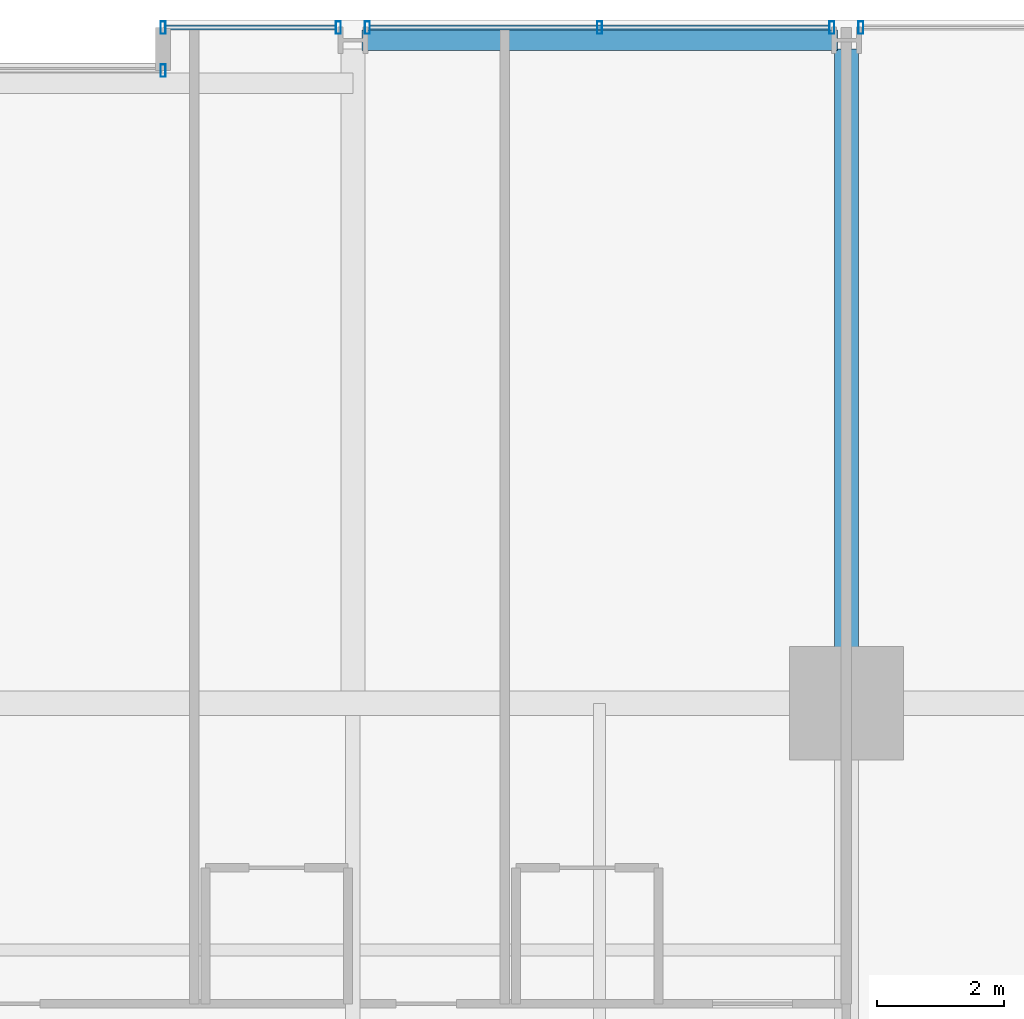
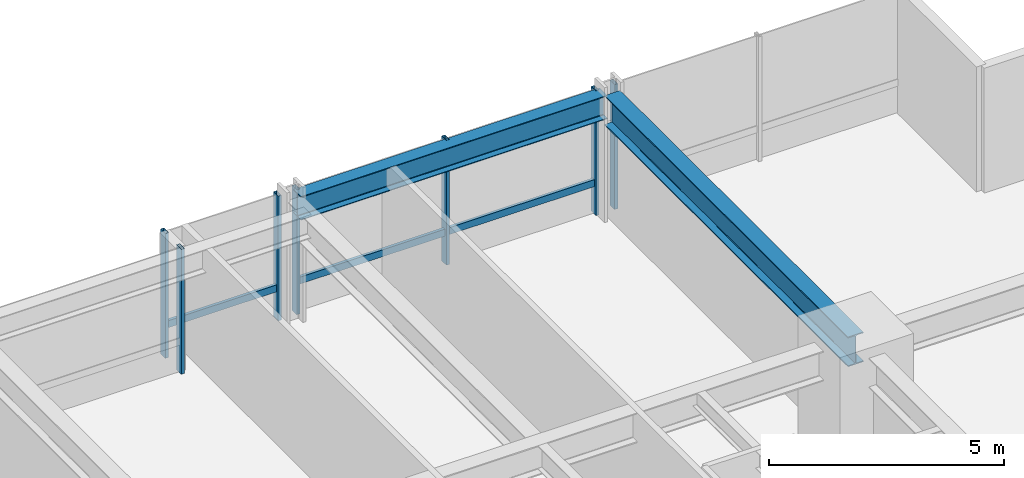
# One storey, part 27 of 38: 9 members, 2 beams, 4 elements without a shape of their own.
"""IFC4 building model written with IfcOpenShell, lengths in metres."""

from ifc_helpers import new_model, si_unit, direction, frame, origin, origin_2d, place, context, subcontext, project, spatial, hollow_rectangle, i_section, extrude, material, layer, layer_set, material_profile, profile_set, type_object, element, aggregate, save


model = new_model("IFC4")

# Units and contexts
model_context = context("Model", 3, precision=1e-05, world=origin(), true_north=direction((0.0, 1.0)))
body_context = subcontext(model_context, "Body", "Model", "MODEL_VIEW")
ifc_project = project(units=[si_unit("LENGTHUNIT", "METRE"), si_unit("AREAUNIT", "SQUARE_METRE"), si_unit("VOLUMEUNIT", "CUBIC_METRE"), si_unit("PLANEANGLEUNIT", "RADIAN"), si_unit("MASSUNIT", "GRAM", prefix="KILO")], contexts=[model_context])

# Site, building, storey
site_placement = place(None, origin())
site = spatial("IfcSite", under=ifc_project, at=site_placement, CompositionType="ELEMENT")
building_placement = place(site_placement, origin())
building = spatial("IfcBuilding", under=site, at=building_placement, Name="Drelvath Grand Hotel", CompositionType="ELEMENT")
storey_placement = place(building_placement, frame((0.0, 0.0, 71.699951171875)))
storey = spatial("IfcBuildingStorey", under=building, at=storey_placement, Name="L17", CompositionType="ELEMENT", Elevation=71.699951171875)

# Curtain wall, member
ifc_material_1 = material(Name="Warm Bronze Anodised Aluminium Frame", Category="aluminium")
ifc_layer = layer(ifc_material_1, 0.199951171875)
ifc_layer_set = layer_set([ifc_layer], Name="Warm Bronze Anodised Aluminium Frame")
curtain_wall_type = type_object("IfcCurtainWallType", Name="Stick Curtain Wall CW-02 Warm Bronze Low-Rise", PredefinedType="NOTDEFINED", material=ifc_layer_set)
curtain_wall_1_placement = place(storey_placement, origin())
curtain_wall_1 = element("IfcCurtainWall", 1, at=curtain_wall_1_placement, inside=storey, type_object=curtain_wall_type, Name="L17 CW-02 Curtain Wall CW02-L17-NE1", PredefinedType="NOTDEFINED")
ifc_material_profile_1 = material_profile(ifc_material_1, hollow_rectangle(XDim=0.074951171875, YDim=0.179931640625, WallThickness=0.0048828125, at=origin_2d()), Name="HSS180X75X5")
ifc_profile_set_1 = profile_set([ifc_material_profile_1], Name="Warm Bronze Anodised Aluminium Frame")
member_type_1 = type_object("IfcMemberType", Name="Curtain Wall Horizontal Transom CW-02 HSS180X75X5", PredefinedType="USERDEFINED", material=ifc_profile_set_1)
member_1_placement = place(storey_placement, frame((5.43994140625, 53.8798828125, 0.81005859375), z_axis=(1.0, 0.0, 0.0), x_axis=(0.0, 1.0, 0.0)))
member_1 = element("IfcMember", 2, at=member_1_placement, type_object=member_type_1, Name="CW02-L17-NE1 Sill Transom", ObjectType="TRANSOM", PredefinedType="USERDEFINED", context=body_context, shape_type="SweptSolid", body=[
    extrude(hollow_rectangle(XDim=0.074951171875, YDim=0.179931640625, WallThickness=0.0048828125, at=origin_2d()), origin(), (0.0, 0.0, 1.0), 2.69091796875),
])

curtain_wall_2_placement = place(storey_placement, origin())
curtain_wall_2 = element("IfcCurtainWall", 3, at=curtain_wall_2_placement, inside=storey, type_object=curtain_wall_type, Name="L17 CW-02 Curtain Wall CW02-L17-NE2", PredefinedType="NOTDEFINED")
member_2_placement = place(storey_placement, frame((8.669189453125, 53.8798828125, 0.81005859375), z_axis=(1.0, 0.0, 0.0), x_axis=(0.0, 1.0, 0.0)))
member_2 = element("IfcMember", 4, at=member_2_placement, type_object=member_type_1, Name="CW02-L17-NE2 Sill Transom", ObjectType="TRANSOM", PredefinedType="USERDEFINED", context=body_context, shape_type="SweptSolid", body=[
    extrude(hollow_rectangle(XDim=0.074951171875, YDim=0.179931640625, WallThickness=0.0048828125, at=origin_2d()), origin(), (0.0, 0.0, 1.0), 7.26171875),
])

curtain_wall_3_placement = place(storey_placement, origin())
curtain_wall_3 = element("IfcCurtainWall", 5, at=curtain_wall_3_placement, inside=storey, type_object=curtain_wall_type, Name="L17 CW-02 Curtain Wall CW02-L17-NM2", PredefinedType="NOTDEFINED")
ifc_material_profile_2 = material_profile(ifc_material_1, hollow_rectangle(XDim=0.080078125, YDim=0.199951171875, WallThickness=0.0048828125, at=origin_2d()), Name="HSS200X80X5")
ifc_profile_set_2 = profile_set([ifc_material_profile_2], Name="Warm Bronze Anodised Aluminium Frame")
member_type_2 = type_object("IfcMemberType", Name="Curtain Wall Vertical Mullion CW-02 HSS200X80X5", PredefinedType="MULLION", material=ifc_profile_set_2)
member_3_placement = place(storey_placement, frame((5.39990234375, 53.199951171875, 0.0), z_axis=(0.0, 0.0, 1.0), x_axis=(1.0, 0.0, 0.0)))
member_3 = element("IfcMember", 6, at=member_3_placement, type_object=member_type_2, Name="CW02-L17-NM2 Mullion 2", PredefinedType="MULLION", context=body_context, shape_type="SweptSolid", body=[
    extrude(hollow_rectangle(XDim=0.080078125, YDim=0.199951171875, WallThickness=0.0048828125, at=origin_2d()), origin(), (0.0, 0.0, 1.0), 3.239990234375),
])
aggregate(curtain_wall_3, [member_3])

# Member
member_4_placement = place(storey_placement, frame((5.39990234375, 53.8798828125, 0.0), z_axis=(0.0, 0.0, 1.0), x_axis=(1.0, 0.0, 0.0)))
member_4 = element("IfcMember", 7, at=member_4_placement, type_object=member_type_2, Name="CW02-L17-NE1 Mullion 1", PredefinedType="MULLION", context=body_context, shape_type="SweptSolid", body=[
    extrude(hollow_rectangle(XDim=0.080078125, YDim=0.199951171875, WallThickness=0.0048828125, at=origin_2d()), origin(), (0.0, 0.0, 1.0), 3.239990234375),
])

member_5_placement = place(storey_placement, frame((8.1708984375, 53.8798828125, 0.0), z_axis=(0.0, 0.0, 1.0), x_axis=(1.0, 0.0, 0.0)))
member_5 = element("IfcMember", 8, at=member_5_placement, type_object=member_type_2, Name="CW02-L17-NE1 Mullion 2", PredefinedType="MULLION", context=body_context, shape_type="SweptSolid", body=[
    extrude(hollow_rectangle(XDim=0.080078125, YDim=0.199951171875, WallThickness=0.0048828125, at=origin_2d()), origin(), (0.0, 0.0, 1.0), 3.239990234375),
])

aggregate(curtain_wall_1, [member_4, member_5, member_1])

member_6_placement = place(storey_placement, frame((8.629150390625, 53.8798828125, 0.0), z_axis=(0.0, 0.0, 1.0), x_axis=(1.0, 0.0, 0.0)))
member_6 = element("IfcMember", 9, at=member_6_placement, type_object=member_type_2, Name="CW02-L17-NE2 Mullion 1", PredefinedType="MULLION", context=body_context, shape_type="SweptSolid", body=[
    extrude(hollow_rectangle(XDim=0.080078125, YDim=0.199951171875, WallThickness=0.0048828125, at=origin_2d()), origin(), (0.0, 0.0, 1.0), 3.239990234375),
])

member_7_placement = place(storey_placement, frame((12.300048828125, 53.8798828125, 0.0), z_axis=(0.0, 0.0, 1.0), x_axis=(1.0, 0.0, 0.0)))
member_7 = element("IfcMember", 10, at=member_7_placement, type_object=member_type_2, Name="CW02-L17-NE2 Mullion 2", PredefinedType="MULLION", context=body_context, shape_type="SweptSolid", body=[
    extrude(hollow_rectangle(XDim=0.080078125, YDim=0.199951171875, WallThickness=0.0048828125, at=origin_2d()), origin(), (0.0, 0.0, 1.0), 3.239990234375),
])

member_8_placement = place(storey_placement, frame((15.970947265625, 53.8798828125, 0.0), z_axis=(0.0, 0.0, 1.0), x_axis=(1.0, 0.0, 0.0)))
member_8 = element("IfcMember", 11, at=member_8_placement, type_object=member_type_2, Name="CW02-L17-NE2 Mullion 3", PredefinedType="MULLION", context=body_context, shape_type="SweptSolid", body=[
    extrude(hollow_rectangle(XDim=0.080078125, YDim=0.199951171875, WallThickness=0.0048828125, at=origin_2d()), origin(), (0.0, 0.0, 1.0), 3.239990234375),
])

aggregate(curtain_wall_2, [member_6, member_7, member_8, member_2])

# Curtain wall, member
curtain_wall_4_placement = place(storey_placement, origin())
curtain_wall_4 = element("IfcCurtainWall", 12, at=curtain_wall_4_placement, inside=storey, type_object=curtain_wall_type, Name="L17 CW-02 Curtain Wall CW02-L17-NE3", PredefinedType="NOTDEFINED")
member_9_placement = place(storey_placement, frame((16.42919921875, 53.8798828125, 0.0), z_axis=(0.0, 0.0, 1.0), x_axis=(1.0, 0.0, 0.0)))
member_9 = element("IfcMember", 13, at=member_9_placement, type_object=member_type_2, Name="CW02-L17-NE3 Mullion 1", PredefinedType="MULLION", context=body_context, shape_type="SweptSolid", body=[
    extrude(hollow_rectangle(XDim=0.080078125, YDim=0.199951171875, WallThickness=0.0048828125, at=origin_2d()), origin(), (0.0, 0.0, 1.0), 3.239990234375),
])
aggregate(curtain_wall_4, [member_9])

# Beams
ifc_material_2 = material(Name="Steel ASTM A992 Gr 50", Category="steel")
ifc_material_profile_3 = material_profile(ifc_material_2, i_section(OverallWidth=0.323974609375, OverallDepth=0.611083984375, WebThickness=0.0126953125, FlangeThickness=0.01904296875, FilletRadius=0.02197265625, at=origin_2d()), Name="W24X104")
ifc_profile_set_3 = profile_set([ifc_material_profile_3], Name="Steel ASTM A992 Gr 50")
beam_type_1 = type_object("IfcBeamType", Name="Perimeter Spandrel Beam W24X104", PredefinedType="SPANDREL", material=ifc_profile_set_3)
beam_1_placement = place(storey_placement, frame((8.5400390625, 53.679931640625, 2.9345703125), z_axis=(1.0, 0.0, 0.0), x_axis=(0.0, 1.0, 0.0)))
element("IfcBeam", 14, at=beam_1_placement, inside=storey, type_object=beam_type_1, Name="L17 Spandrel North E", PredefinedType="SPANDREL", context=body_context, shape_type="SweptSolid", body=[
    extrude(i_section(OverallWidth=0.323974609375, OverallDepth=0.611083984375, WebThickness=0.0126953125, FlangeThickness=0.01904296875, FilletRadius=0.02197265625, at=origin_2d()), origin(), (0.0, 0.0, 1.0), 7.52001953125),
])
ifc_material_profile_4 = material_profile(ifc_material_2, i_section(OverallWidth=0.380615234375, OverallDepth=0.773193359375, WebThickness=0.0166015625, FlangeThickness=0.027099609375, FilletRadius=0.02490234375, at=origin_2d()), Name="W30X173")
ifc_profile_set_4 = profile_set([ifc_material_profile_4], Name="Steel ASTM A992 Gr 50")
beam_type_2 = type_object("IfcBeamType", Name="Primary Floor Girder W30X173", PredefinedType="BEAM", material=ifc_profile_set_4)
beam_2_placement = place(storey_placement, frame((16.199951171875, 43.199951171875, 2.853515625), z_axis=(0.0, 1.0, 0.0), x_axis=(-1.0, 0.0, 0.0)))
element("IfcBeam", 15, at=beam_2_placement, inside=storey, type_object=beam_type_2, Name="L17 North Grid Girder 7", PredefinedType="BEAM", context=body_context, shape_type="SweptSolid", body=[
    extrude(i_section(OverallWidth=0.380615234375, OverallDepth=0.773193359375, WebThickness=0.0166015625, FlangeThickness=0.027099609375, FilletRadius=0.02490234375, at=origin_2d()), origin(), (0.0, 0.0, 1.0), 10.340087890625),
])

save(model, "model.ifc")
